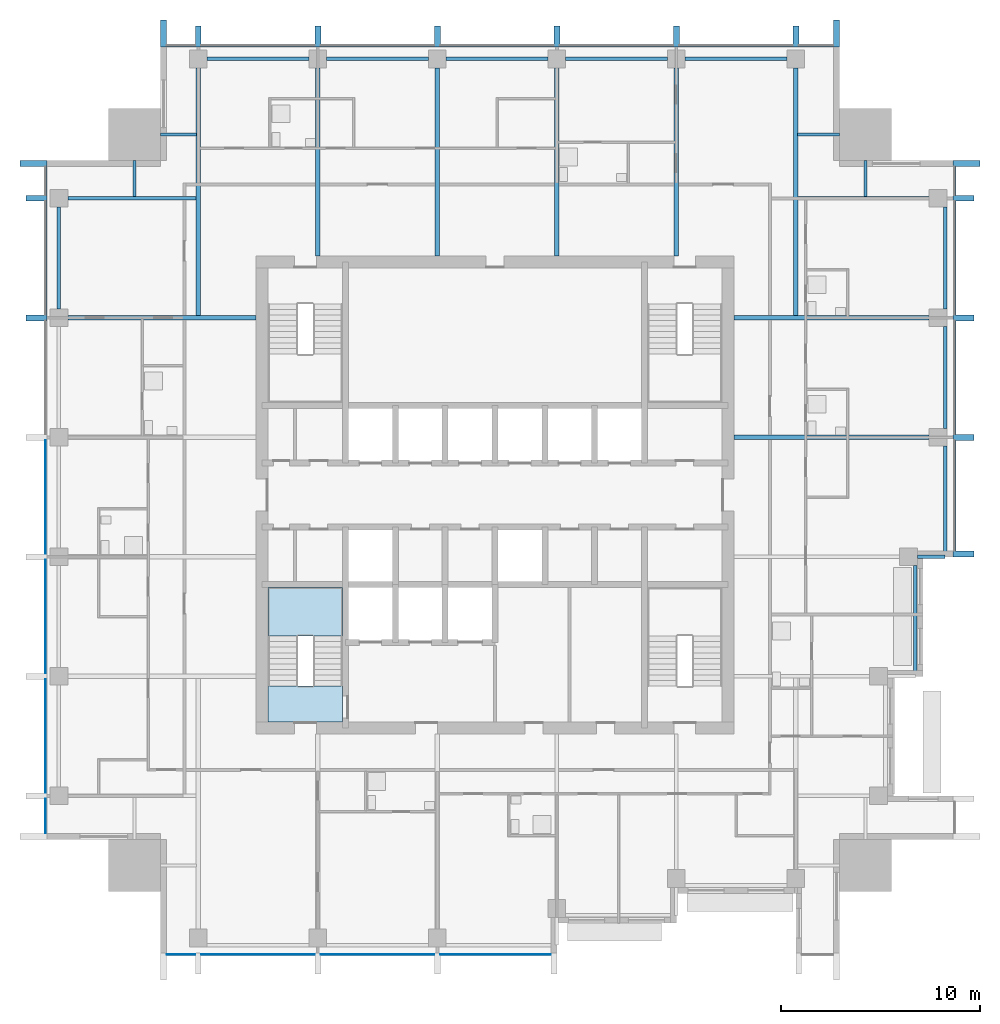
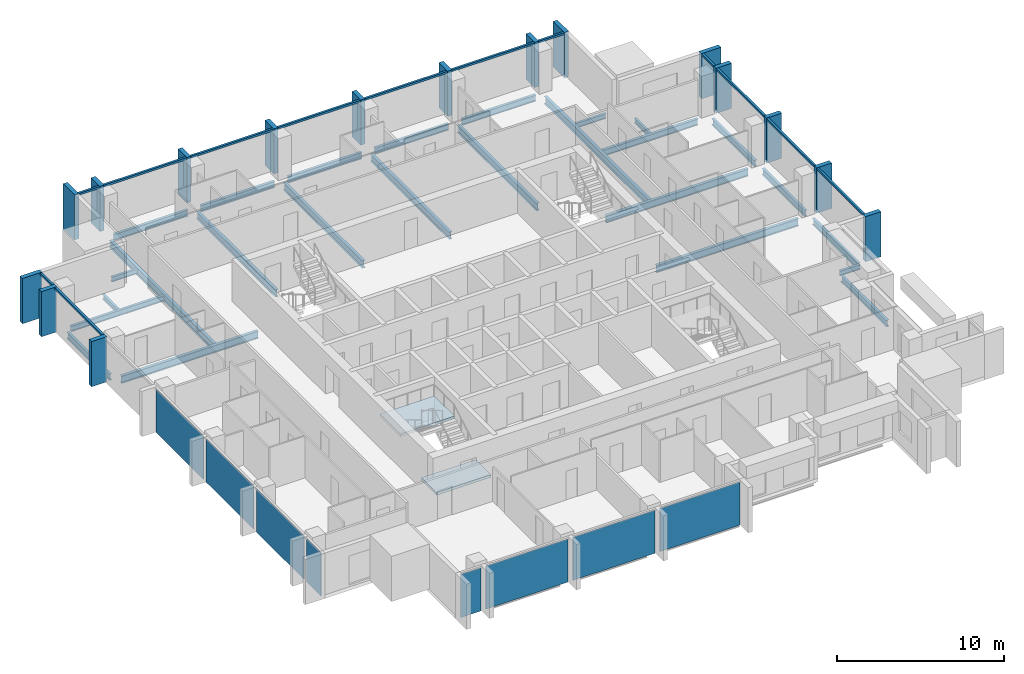
# One storey, part 2 of 10: 29 members, 26 beams, 8 plates, 2 slabs, 5 elements without a shape of their own.
"""IFC4 building model written with IfcOpenShell, lengths in metres."""

from ifc_helpers import new_model, si_unit, direction, frame, origin, origin_2d, place, context, subcontext, project, spatial, polyline, rectangle, i_section, outline, extrude, material, layer, layer_set, material_profile, profile_set, type_object, element, aggregate, save


model = new_model("IFC4")

# Units and contexts
model_context = context("Model", 3, precision=1e-05, world=origin(), true_north=direction((0.0, 1.0)))
body_context = subcontext(model_context, "Body", "Model", "MODEL_VIEW")
ifc_project = project(units=[si_unit("LENGTHUNIT", "METRE"), si_unit("AREAUNIT", "SQUARE_METRE"), si_unit("VOLUMEUNIT", "CUBIC_METRE"), si_unit("PLANEANGLEUNIT", "RADIAN"), si_unit("MASSUNIT", "GRAM", prefix="KILO")], contexts=[model_context])

# Site, building, storey
site_placement = place(None, origin())
site = spatial("IfcSite", under=ifc_project, at=site_placement, CompositionType="ELEMENT")
building_placement = place(site_placement, origin())
building = spatial("IfcBuilding", under=site, at=building_placement, Name="Amberfall Residences", CompositionType="ELEMENT")
storey_placement = place(building_placement, frame((0.0, 0.0, 193.60009765625)))
storey = spatial("IfcBuildingStorey", under=building, at=storey_placement, Name="L51", CompositionType="ELEMENT", Elevation=193.60009765625)

# Curtain wall, members
ifc_material_1 = material(Name="Bronze anodised aluminium and glass", Category="aluminium")
curtain_wall_type = type_object("IfcCurtainWallType", Name="Curtain wall CW1 tower unit", PredefinedType="USERDEFINED", material=ifc_material_1)
curtain_wall_1_placement = place(storey_placement, origin())
curtain_wall_1 = element("IfcCurtainWall", 1, at=curtain_wall_1_placement, inside=storey, type_object=curtain_wall_type, Name="Curtain wall L51 E E7", ObjectType="UNITISED CURTAIN WALL", PredefinedType="USERDEFINED")
ifc_material_2 = material(Name="Bronze anodised aluminium", Category="aluminium")
ifc_material_profile_1 = material_profile(ifc_material_2, rectangle(XDim=0.14990234375, YDim=0.14990234375, at=origin_2d()), Name="CW1 transom 150 x 150 bronze")
ifc_profile_set_1 = profile_set([ifc_material_profile_1], Name="Bronze anodised aluminium")
member_type_1 = type_object("IfcMemberType", Name="CW1 transom 150 x 150 bronze", PredefinedType="USERDEFINED", material=ifc_profile_set_1)
member_1_placement = place(storey_placement, frame((97.574951171875, 42.699951171875, 2.974853515625), z_axis=(0.0, 1.0, 0.0), x_axis=(-1.0, 0.0, 0.0)))
member_1 = element("IfcMember", 2, at=member_1_placement, type_object=member_type_1, Name="CW1 transom 1.1", ObjectType="TRANSOM", PredefinedType="USERDEFINED", context=body_context, shape_type="SweptSolid", body=[
    extrude(rectangle(XDim=0.14990234375, YDim=0.14990234375, at=origin_2d()), origin(), (0.0, 0.0, 1.0), 5.550048828125),
])
member_2_placement = place(storey_placement, frame((97.574951171875, 48.550048828125, 2.974853515625), z_axis=(0.0, 1.0, 0.0), x_axis=(-1.0, 0.0, 0.0)))
member_2 = element("IfcMember", 3, at=member_2_placement, type_object=member_type_1, Name="CW1 transom 2.1", ObjectType="TRANSOM", PredefinedType="USERDEFINED", context=body_context, shape_type="SweptSolid", body=[
    extrude(rectangle(XDim=0.14990234375, YDim=0.14990234375, at=origin_2d()), origin(), (0.0, 0.0, 1.0), 5.699951171875),
])
member_3_placement = place(storey_placement, frame((97.574951171875, 54.550048828125, 2.974853515625), z_axis=(0.0, 1.0, 0.0), x_axis=(-1.0, 0.0, 0.0)))
member_3 = element("IfcMember", 4, at=member_3_placement, type_object=member_type_1, Name="CW1 transom 3.1", ObjectType="TRANSOM", PredefinedType="USERDEFINED", context=body_context, shape_type="SweptSolid", body=[
    extrude(rectangle(XDim=0.14990234375, YDim=0.14990234375, at=origin_2d()), origin(), (0.0, 0.0, 1.0), 5.699951171875),
])
member_4_placement = place(storey_placement, frame((97.574951171875, 60.550048828125, 2.974853515625), z_axis=(0.0, 1.0, 0.0), x_axis=(-1.0, 0.0, 0.0)))
member_4 = element("IfcMember", 5, at=member_4_placement, type_object=member_type_1, Name="CW1 transom 4.1", ObjectType="TRANSOM", PredefinedType="USERDEFINED", context=body_context, shape_type="SweptSolid", body=[
    extrude(rectangle(XDim=0.14990234375, YDim=0.14990234375, at=origin_2d()), origin(), (0.0, 0.0, 1.0), 1.449951171875),
])

curtain_wall_2_placement = place(storey_placement, origin())
curtain_wall_2 = element("IfcCurtainWall", 6, at=curtain_wall_2_placement, inside=storey, type_object=curtain_wall_type, Name="Curtain wall L51 N N1", ObjectType="UNITISED CURTAIN WALL", PredefinedType="USERDEFINED")
member_5_placement = place(storey_placement, frame((91.5, 68.074951171875, 2.974853515625), z_axis=(-1.0, 0.0, 0.0), x_axis=(0.0, -1.0, 0.0)))
member_5 = element("IfcMember", 7, at=member_5_placement, type_object=member_type_1, Name="CW1 transom 1.1", ObjectType="TRANSOM", PredefinedType="USERDEFINED", context=body_context, shape_type="SweptSolid", body=[
    extrude(rectangle(XDim=0.14990234375, YDim=0.14990234375, at=origin_2d()), origin(), (0.0, 0.0, 1.0), 1.75),
])
member_6_placement = place(storey_placement, frame((89.449951171875, 68.074951171875, 2.974853515625), z_axis=(-1.0, 0.0, 0.0), x_axis=(0.0, -1.0, 0.0)))
member_6 = element("IfcMember", 8, at=member_6_placement, type_object=member_type_1, Name="CW1 transom 2.1", ObjectType="TRANSOM", PredefinedType="USERDEFINED", context=body_context, shape_type="SweptSolid", body=[
    extrude(rectangle(XDim=0.14990234375, YDim=0.14990234375, at=origin_2d()), origin(), (0.0, 0.0, 1.0), 5.699951171875),
])
member_7_placement = place(storey_placement, frame((83.449951171875, 68.074951171875, 2.974853515625), z_axis=(-1.0, 0.0, 0.0), x_axis=(0.0, -1.0, 0.0)))
member_7 = element("IfcMember", 9, at=member_7_placement, type_object=member_type_1, Name="CW1 transom 3.1", ObjectType="TRANSOM", PredefinedType="USERDEFINED", context=body_context, shape_type="SweptSolid", body=[
    extrude(rectangle(XDim=0.14990234375, YDim=0.14990234375, at=origin_2d()), origin(), (0.0, 0.0, 1.0), 5.699951171875),
])
member_8_placement = place(storey_placement, frame((77.449951171875, 68.074951171875, 2.974853515625), z_axis=(-1.0, 0.0, 0.0), x_axis=(0.0, -1.0, 0.0)))
member_8 = element("IfcMember", 10, at=member_8_placement, type_object=member_type_1, Name="CW1 transom 4.1", ObjectType="TRANSOM", PredefinedType="USERDEFINED", context=body_context, shape_type="SweptSolid", body=[
    extrude(rectangle(XDim=0.14990234375, YDim=0.14990234375, at=origin_2d()), origin(), (0.0, 0.0, 1.0), 5.699951171875),
])
member_9_placement = place(storey_placement, frame((71.449951171875, 68.074951171875, 2.974853515625), z_axis=(-1.0, 0.0, 0.0), x_axis=(0.0, -1.0, 0.0)))
member_9 = element("IfcMember", 11, at=member_9_placement, type_object=member_type_1, Name="CW1 transom 5.1", ObjectType="TRANSOM", PredefinedType="USERDEFINED", context=body_context, shape_type="SweptSolid", body=[
    extrude(rectangle(XDim=0.14990234375, YDim=0.14990234375, at=origin_2d()), origin(), (0.0, 0.0, 1.0), 5.699951171875),
])
member_10_placement = place(storey_placement, frame((65.449951171875, 68.074951171875, 2.974853515625), z_axis=(-1.0, 0.0, 0.0), x_axis=(0.0, -1.0, 0.0)))
member_10 = element("IfcMember", 12, at=member_10_placement, type_object=member_type_1, Name="CW1 transom 6.1", ObjectType="TRANSOM", PredefinedType="USERDEFINED", context=body_context, shape_type="SweptSolid", body=[
    extrude(rectangle(XDim=0.14990234375, YDim=0.14990234375, at=origin_2d()), origin(), (0.0, 0.0, 1.0), 5.699951171875),
])
member_11_placement = place(storey_placement, frame((59.449951171875, 68.074951171875, 2.974853515625), z_axis=(-1.0, 0.0, 0.0), x_axis=(0.0, -1.0, 0.0)))
member_11 = element("IfcMember", 13, at=member_11_placement, type_object=member_type_1, Name="CW1 transom 7.1", ObjectType="TRANSOM", PredefinedType="USERDEFINED", context=body_context, shape_type="SweptSolid", body=[
    extrude(rectangle(XDim=0.14990234375, YDim=0.14990234375, at=origin_2d()), origin(), (0.0, 0.0, 1.0), 1.449951171875),
])

curtain_wall_3_placement = place(storey_placement, origin())
curtain_wall_3 = element("IfcCurtainWall", 14, at=curtain_wall_3_placement, inside=storey, type_object=curtain_wall_type, Name="Curtain wall L51 W W1", ObjectType="UNITISED CURTAIN WALL", PredefinedType="USERDEFINED")
member_12_placement = place(storey_placement, frame((51.925048828125, 62.0, 2.974853515625), z_axis=(0.0, -1.0, 0.0), x_axis=(1.0, 0.0, 0.0)))
member_12 = element("IfcMember", 15, at=member_12_placement, type_object=member_type_1, Name="CW1 transom 1.1", ObjectType="TRANSOM", PredefinedType="USERDEFINED", context=body_context, shape_type="SweptSolid", body=[
    extrude(rectangle(XDim=0.14990234375, YDim=0.14990234375, at=origin_2d()), origin(), (0.0, 0.0, 1.0), 1.449951171875),
])
member_13_placement = place(storey_placement, frame((51.925048828125, 60.25, 2.974853515625), z_axis=(0.0, -1.0, 0.0), x_axis=(1.0, 0.0, 0.0)))
member_13 = element("IfcMember", 16, at=member_13_placement, type_object=member_type_1, Name="CW1 transom 2.1", ObjectType="TRANSOM", PredefinedType="USERDEFINED", context=body_context, shape_type="SweptSolid", body=[
    extrude(rectangle(XDim=0.14990234375, YDim=0.14990234375, at=origin_2d()), origin(), (0.0, 0.0, 1.0), 5.699951171875),
])

# Beam
ifc_material_3 = material(Name="Steel S355", Category="steel")
ifc_material_profile_2 = material_profile(ifc_material_3, i_section(OverallWidth=0.171142578125, OverallDepth=0.351318359375, WebThickness=0.007080078125, FlangeThickness=0.009765625, FilletRadius=0.01025390625, at=origin_2d()), Name="UB 356x171x45")
ifc_profile_set_2 = profile_set([ifc_material_profile_2], Name="Steel S355")
beam_type_1 = type_object("IfcBeamType", Name="Cantilever girder UB 356x171x45", PredefinedType="BEAM", material=ifc_profile_set_2)
beam_1_placement = place(storey_placement, frame((95.699951171875, 42.39990234375, -0.42578125), z_axis=(1.0, 0.0, 0.0), x_axis=(0.0, 1.0, 0.0)))
element("IfcBeam", 17, at=beam_1_placement, inside=storey, type_object=beam_type_1, Name="Cantilever girder B8 L51 20", PredefinedType="BEAM", context=body_context, shape_type="SweptSolid", body=[
    extrude(i_section(OverallWidth=0.171142578125, OverallDepth=0.351318359375, WebThickness=0.007080078125, FlangeThickness=0.009765625, FilletRadius=0.01025390625, at=origin_2d()), origin(), (0.0, 0.0, 1.0), 1.400146484375),
])

# Member
ifc_material_profile_3 = material_profile(ifc_material_2, rectangle(XDim=1.35009765625, YDim=0.300048828125, at=origin_2d()), Name="Corner fin 300 x 1350 bronze")
ifc_profile_set_3 = profile_set([ifc_material_profile_3], Name="Bronze anodised aluminium")
member_type_2 = type_object("IfcMemberType", Name="Corner fin 300 x 1350 bronze", PredefinedType="MULLION", material=ifc_profile_set_3)
member_14_placement = place(storey_placement, frame((98.175048828125, 62.14990234375, -0.25), z_axis=(0.0, 0.0, 1.0), x_axis=(-1.0, 0.0, 0.0)))
member_14 = element("IfcMember", 18, at=member_14_placement, type_object=member_type_2, Name="CW FIN 5", PredefinedType="MULLION", context=body_context, shape_type="SweptSolid", body=[
    extrude(rectangle(XDim=1.35009765625, YDim=0.300048828125, at=origin_2d()), origin(), (0.0, 0.0, 1.0), 3.2998046875),
])

member_15_placement = place(storey_placement, frame((91.64990234375, 68.675048828125, -0.25), z_axis=(0.0, 0.0, 1.0), x_axis=(0.0, -1.0, 0.0)))
member_15 = element("IfcMember", 19, at=member_15_placement, type_object=member_type_2, Name="CW FIN 1", PredefinedType="MULLION", context=body_context, shape_type="SweptSolid", body=[
    extrude(rectangle(XDim=1.35009765625, YDim=0.300048828125, at=origin_2d()), origin(), (0.0, 0.0, 1.0), 3.2998046875),
])

member_16_placement = place(storey_placement, frame((57.85009765625, 68.675048828125, -0.25), z_axis=(0.0, 0.0, 1.0), x_axis=(0.0, -1.0, 0.0)))
member_16 = element("IfcMember", 20, at=member_16_placement, type_object=member_type_2, Name="CW FIN 8", PredefinedType="MULLION", context=body_context, shape_type="SweptSolid", body=[
    extrude(rectangle(XDim=1.35009765625, YDim=0.300048828125, at=origin_2d()), origin(), (0.0, 0.0, 1.0), 3.2998046875),
])

member_17_placement = place(storey_placement, frame((51.324951171875, 62.14990234375, -0.25), z_axis=(0.0, 0.0, 1.0), x_axis=(1.0, 0.0, 0.0)))
member_17 = element("IfcMember", 21, at=member_17_placement, type_object=member_type_2, Name="CW FIN 1", PredefinedType="MULLION", context=body_context, shape_type="SweptSolid", body=[
    extrude(rectangle(XDim=1.35009765625, YDim=0.300048828125, at=origin_2d()), origin(), (0.0, 0.0, 1.0), 3.2998046875),
])

# Beams
ifc_material_profile_4 = material_profile(ifc_material_3, i_section(OverallWidth=0.18994140625, OverallDepth=0.453369140625, WebThickness=0.008544921875, FlangeThickness=0.0126953125, FilletRadius=0.01025390625, at=origin_2d()), Name="UB 457x191x67")
ifc_profile_set_4 = profile_set([ifc_material_profile_4], Name="Steel S355")
beam_type_2 = type_object("IfcBeamType", Name="Edge beam UB 457x191x67", PredefinedType="SPANDREL", material=ifc_profile_set_4)
for number, where, z_axis, x_axis, name in (
    (22, (95.60009765625, 36.47998046875, -0.476806640625), (0.0, 1.0, 0.0), (-1.0, 0.0, 0.0), "Edge beam B1 L51 15"),
    (23, (97.10009765625, 42.47998046875, -0.476806640625), (0.0, 1.0, 0.0), (-1.0, 0.0, 0.0), "Edge beam B1 L51 16"),
):
    element("IfcBeam", number, at=place(storey_placement, frame(where, z_axis=z_axis, x_axis=x_axis)), inside=storey, type_object=beam_type_2, Name=name, PredefinedType="SPANDREL", context=body_context, shape_type="SweptSolid", body=[
        extrude(i_section(OverallWidth=0.18994140625, OverallDepth=0.453369140625, WebThickness=0.008544921875, FlangeThickness=0.0126953125, FilletRadius=0.01025390625, at=origin_2d()), origin(), (0.0, 0.0, 1.0), 5.469970703125),
    ])
for number, where, z_axis, x_axis, name in (
    (24, (97.10009765625, 48.85009765625, -0.476806640625), (0.0, 1.0, 0.0), (-1.0, 0.0, 0.0), "Edge beam B1 L51 17"),
    (25, (97.10009765625, 54.85009765625, -0.476806640625), (0.0, 1.0, 0.0), (-1.0, 0.0, 0.0), "Edge beam B1 L51 18"),
    (26, (60.050048828125, 67.39990234375, -0.476806640625), (1.0, 0.0, 0.0), (0.0, 1.0, 0.0), "Edge beam B1 L51 27"),
    (27, (66.050048828125, 67.39990234375, -0.476806640625), (1.0, 0.0, 0.0), (0.0, 1.0, 0.0), "Edge beam B1 L51 28"),
    (28, (72.050048828125, 67.39990234375, -0.476806640625), (1.0, 0.0, 0.0), (0.0, 1.0, 0.0), "Edge beam B1 L51 29"),
    (29, (78.050048828125, 67.39990234375, -0.476806640625), (1.0, 0.0, 0.0), (0.0, 1.0, 0.0), "Edge beam B1 L51 30"),
    (30, (84.050048828125, 67.39990234375, -0.476806640625), (1.0, 0.0, 0.0), (0.0, 1.0, 0.0), "Edge beam B1 L51 31"),
    (31, (52.60009765625, 54.85009765625, -0.476806640625), (0.0, 1.0, 0.0), (-1.0, 0.0, 0.0), "Edge beam B1 L51 42"),
):
    element("IfcBeam", number, at=place(storey_placement, frame(where, z_axis=z_axis, x_axis=x_axis)), inside=storey, type_object=beam_type_2, Name=name, PredefinedType="SPANDREL", context=body_context, shape_type="SweptSolid", body=[
        extrude(i_section(OverallWidth=0.18994140625, OverallDepth=0.453369140625, WebThickness=0.008544921875, FlangeThickness=0.0126953125, FilletRadius=0.01025390625, at=origin_2d()), origin(), (0.0, 0.0, 1.0), 5.099853515625),
    ])

# Member
ifc_material_profile_5 = material_profile(ifc_material_2, rectangle(XDim=1.050048828125, YDim=0.300048828125, at=origin_2d()), Name="Fin 300 x 1050 bronze")
ifc_profile_set_5 = profile_set([ifc_material_profile_5], Name="Bronze anodised aluminium")
member_type_3 = type_object("IfcMemberType", Name="Fin 300 x 1050 bronze", PredefinedType="MULLION", material=ifc_profile_set_5)
member_18_placement = place(storey_placement, frame((98.02490234375, 42.550048828125, -0.25), z_axis=(0.0, 0.0, 1.0), x_axis=(-1.0, 0.0, 0.0)))
member_18 = element("IfcMember", 32, at=member_18_placement, type_object=member_type_3, Name="CW FIN 1", PredefinedType="MULLION", context=body_context, shape_type="SweptSolid", body=[
    extrude(rectangle(XDim=1.050048828125, YDim=0.300048828125, at=origin_2d()), origin(), (0.0, 0.0, 1.0), 3.2998046875),
])

member_19_placement = place(storey_placement, frame((98.02490234375, 48.39990234375, -0.25), z_axis=(0.0, 0.0, 1.0), x_axis=(-1.0, 0.0, 0.0)))
member_19 = element("IfcMember", 33, at=member_19_placement, type_object=member_type_3, Name="CW FIN 2", PredefinedType="MULLION", context=body_context, shape_type="SweptSolid", body=[
    extrude(rectangle(XDim=1.050048828125, YDim=0.300048828125, at=origin_2d()), origin(), (0.0, 0.0, 1.0), 3.2998046875),
])

member_20_placement = place(storey_placement, frame((98.02490234375, 54.39990234375, -0.25), z_axis=(0.0, 0.0, 1.0), x_axis=(-1.0, 0.0, 0.0)))
member_20 = element("IfcMember", 34, at=member_20_placement, type_object=member_type_3, Name="CW FIN 3", PredefinedType="MULLION", context=body_context, shape_type="SweptSolid", body=[
    extrude(rectangle(XDim=1.050048828125, YDim=0.300048828125, at=origin_2d()), origin(), (0.0, 0.0, 1.0), 3.2998046875),
])

member_21_placement = place(storey_placement, frame((98.02490234375, 60.39990234375, -0.25), z_axis=(0.0, 0.0, 1.0), x_axis=(-1.0, 0.0, 0.0)))
member_21 = element("IfcMember", 35, at=member_21_placement, type_object=member_type_3, Name="CW FIN 4", PredefinedType="MULLION", context=body_context, shape_type="SweptSolid", body=[
    extrude(rectangle(XDim=1.050048828125, YDim=0.300048828125, at=origin_2d()), origin(), (0.0, 0.0, 1.0), 3.2998046875),
])

aggregate(curtain_wall_1, [member_18, member_19, member_20, member_21, member_14, member_1, member_2, member_3, member_4])

member_22_placement = place(storey_placement, frame((89.60009765625, 68.52490234375, -0.25), z_axis=(0.0, 0.0, 1.0), x_axis=(0.0, -1.0, 0.0)))
member_22 = element("IfcMember", 36, at=member_22_placement, type_object=member_type_3, Name="CW FIN 2", PredefinedType="MULLION", context=body_context, shape_type="SweptSolid", body=[
    extrude(rectangle(XDim=1.050048828125, YDim=0.300048828125, at=origin_2d()), origin(), (0.0, 0.0, 1.0), 3.2998046875),
])

member_23_placement = place(storey_placement, frame((83.60009765625, 68.52490234375, -0.25), z_axis=(0.0, 0.0, 1.0), x_axis=(0.0, -1.0, 0.0)))
member_23 = element("IfcMember", 37, at=member_23_placement, type_object=member_type_3, Name="CW FIN 3", PredefinedType="MULLION", context=body_context, shape_type="SweptSolid", body=[
    extrude(rectangle(XDim=1.050048828125, YDim=0.300048828125, at=origin_2d()), origin(), (0.0, 0.0, 1.0), 3.2998046875),
])

member_24_placement = place(storey_placement, frame((77.60009765625, 68.52490234375, -0.25), z_axis=(0.0, 0.0, 1.0), x_axis=(0.0, -1.0, 0.0)))
member_24 = element("IfcMember", 38, at=member_24_placement, type_object=member_type_3, Name="CW FIN 4", PredefinedType="MULLION", context=body_context, shape_type="SweptSolid", body=[
    extrude(rectangle(XDim=1.050048828125, YDim=0.300048828125, at=origin_2d()), origin(), (0.0, 0.0, 1.0), 3.2998046875),
])

member_25_placement = place(storey_placement, frame((71.60009765625, 68.52490234375, -0.25), z_axis=(0.0, 0.0, 1.0), x_axis=(0.0, -1.0, 0.0)))
member_25 = element("IfcMember", 39, at=member_25_placement, type_object=member_type_3, Name="CW FIN 5", PredefinedType="MULLION", context=body_context, shape_type="SweptSolid", body=[
    extrude(rectangle(XDim=1.050048828125, YDim=0.300048828125, at=origin_2d()), origin(), (0.0, 0.0, 1.0), 3.2998046875),
])

member_26_placement = place(storey_placement, frame((65.60009765625, 68.52490234375, -0.25), z_axis=(0.0, 0.0, 1.0), x_axis=(0.0, -1.0, 0.0)))
member_26 = element("IfcMember", 40, at=member_26_placement, type_object=member_type_3, Name="CW FIN 6", PredefinedType="MULLION", context=body_context, shape_type="SweptSolid", body=[
    extrude(rectangle(XDim=1.050048828125, YDim=0.300048828125, at=origin_2d()), origin(), (0.0, 0.0, 1.0), 3.2998046875),
])

member_27_placement = place(storey_placement, frame((59.60009765625, 68.52490234375, -0.25), z_axis=(0.0, 0.0, 1.0), x_axis=(0.0, -1.0, 0.0)))
member_27 = element("IfcMember", 41, at=member_27_placement, type_object=member_type_3, Name="CW FIN 7", PredefinedType="MULLION", context=body_context, shape_type="SweptSolid", body=[
    extrude(rectangle(XDim=1.050048828125, YDim=0.300048828125, at=origin_2d()), origin(), (0.0, 0.0, 1.0), 3.2998046875),
])

aggregate(curtain_wall_2, [member_15, member_22, member_23, member_24, member_25, member_26, member_27, member_16, member_5, member_6, member_7, member_8, member_9, member_10, member_11])

member_28_placement = place(storey_placement, frame((51.47509765625, 60.39990234375, -0.25), z_axis=(0.0, 0.0, 1.0), x_axis=(1.0, 0.0, 0.0)))
member_28 = element("IfcMember", 42, at=member_28_placement, type_object=member_type_3, Name="CW FIN 2", PredefinedType="MULLION", context=body_context, shape_type="SweptSolid", body=[
    extrude(rectangle(XDim=1.050048828125, YDim=0.300048828125, at=origin_2d()), origin(), (0.0, 0.0, 1.0), 3.2998046875),
])

member_29_placement = place(storey_placement, frame((51.47509765625, 54.39990234375, -0.25), z_axis=(0.0, 0.0, 1.0), x_axis=(1.0, 0.0, 0.0)))
member_29 = element("IfcMember", 43, at=member_29_placement, type_object=member_type_3, Name="CW FIN 3", PredefinedType="MULLION", context=body_context, shape_type="SweptSolid", body=[
    extrude(rectangle(XDim=1.050048828125, YDim=0.300048828125, at=origin_2d()), origin(), (0.0, 0.0, 1.0), 3.2998046875),
])

# Beams
ifc_material_profile_6 = material_profile(ifc_material_3, i_section(OverallWidth=0.177734375, OverallDepth=0.402587890625, WebThickness=0.0078125, FlangeThickness=0.010986328125, FilletRadius=0.01025390625, at=origin_2d()), Name="UB 406x178x54")
ifc_profile_set_6 = profile_set([ifc_material_profile_6], Name="Steel S355")
beam_type_3 = type_object("IfcBeamType", Name="Floor girder UB 406x178x54", PredefinedType="BEAM", material=ifc_profile_set_6)
beam_2_placement = place(storey_placement, frame((53.050048828125, 60.39990234375, -0.451416015625), z_axis=(1.0, 0.0, 0.0), x_axis=(0.0, 1.0, 0.0)))
element("IfcBeam", 44, at=beam_2_placement, inside=storey, type_object=beam_type_3, Name="Floor girder B4 L51 48", PredefinedType="BEAM", context=body_context, shape_type="SweptSolid", body=[
    extrude(i_section(OverallWidth=0.177734375, OverallDepth=0.402587890625, WebThickness=0.0078125, FlangeThickness=0.010986328125, FilletRadius=0.01025390625, at=origin_2d()), origin(), (0.0, 0.0, 1.0), 6.429931640625),
])
ifc_material_profile_7 = material_profile(ifc_material_3, i_section(OverallWidth=0.19140625, OverallDepth=0.4599609375, WebThickness=0.010009765625, FlangeThickness=0.01611328125, FilletRadius=0.01025390625, at=origin_2d()), Name="UB 457x191x82")
ifc_profile_set_7 = profile_set([ifc_material_profile_7], Name="Steel S355")
beam_type_4 = type_object("IfcBeamType", Name="Floor girder UB 457x191x82", PredefinedType="BEAM", material=ifc_profile_set_7)
beam_3_placement = place(storey_placement, frame((96.300048828125, 60.39990234375, -0.47998046875), z_axis=(-1.0, 0.0, 0.0), x_axis=(0.0, -1.0, 0.0)))
element("IfcBeam", 45, at=beam_3_placement, inside=storey, type_object=beam_type_4, Name="Floor girder B10 L51 26", PredefinedType="BEAM", context=body_context, shape_type="SweptSolid", body=[
    extrude(i_section(OverallWidth=0.19140625, OverallDepth=0.4599609375, WebThickness=0.010009765625, FlangeThickness=0.01611328125, FilletRadius=0.01025390625, at=origin_2d()), origin(), (0.0, 0.0, 1.0), 6.580078125),
])
ifc_material_profile_8 = material_profile(ifc_material_3, i_section(OverallWidth=0.210693359375, OverallDepth=0.53955078125, WebThickness=0.01171875, FlangeThickness=0.018798828125, FilletRadius=0.0126953125, at=origin_2d()), Name="UB 533x210x109")
ifc_profile_set_8 = profile_set([ifc_material_profile_8], Name="Steel S355")
beam_type_5 = type_object("IfcBeamType", Name="Floor girder UB 533x210x109", PredefinedType="BEAM", material=ifc_profile_set_8)
for number, where, z_axis, x_axis, name in (
    (46, (59.60009765625, 66.949951171875, -0.519775390625), (0.0, -1.0, 0.0), (1.0, 0.0, 0.0), "Floor girder B2 L51 32"),
    (47, (89.60009765625, 66.949951171875, -0.519775390625), (0.0, -1.0, 0.0), (1.0, 0.0, 0.0), "Floor girder B2 L51 37"),
):
    element("IfcBeam", number, at=place(storey_placement, frame(where, z_axis=z_axis, x_axis=x_axis)), inside=storey, type_object=beam_type_5, Name=name, PredefinedType="BEAM", context=body_context, shape_type="SweptSolid", body=[
        extrude(i_section(OverallWidth=0.210693359375, OverallDepth=0.53955078125, WebThickness=0.01171875, FlangeThickness=0.018798828125, FilletRadius=0.0126953125, at=origin_2d()), origin(), (0.0, 0.0, 1.0), 12.450439453125),
    ])
ifc_material_profile_9 = material_profile(ifc_material_3, i_section(OverallWidth=0.209228515625, OverallDepth=0.533203125, WebThickness=0.010009765625, FlangeThickness=0.015625, FilletRadius=0.0126953125, at=origin_2d()), Name="UB 533x210x92")
ifc_profile_set_9 = profile_set([ifc_material_profile_9], Name="Steel S355")
beam_type_6 = type_object("IfcBeamType", Name="Floor girder UB 533x210x92", PredefinedType="BEAM", material=ifc_profile_set_9)
for number, where, z_axis, x_axis, name in (
    (48, (96.300048828125, 48.39990234375, -0.5166015625), (-1.0, 0.0, 0.0), (0.0, -1.0, 0.0), "Floor girder B3 L51 24"),
    (49, (96.300048828125, 54.39990234375, -0.5166015625), (-1.0, 0.0, 0.0), (0.0, -1.0, 0.0), "Floor girder B3 L51 25"),
):
    element("IfcBeam", number, at=place(storey_placement, frame(where, z_axis=z_axis, x_axis=x_axis)), inside=storey, type_object=beam_type_6, Name=name, PredefinedType="BEAM", context=body_context, shape_type="SweptSolid", body=[
        extrude(i_section(OverallWidth=0.209228515625, OverallDepth=0.533203125, WebThickness=0.010009765625, FlangeThickness=0.015625, FilletRadius=0.0126953125, at=origin_2d()), origin(), (0.0, 0.0, 1.0), 9.800048828125),
    ])
for number, where, z_axis, x_axis, name in (
    (50, (65.60009765625, 66.949951171875, -0.5166015625), (0.0, -1.0, 0.0), (1.0, 0.0, 0.0), "Floor girder B3 L51 33"),
    (51, (71.60009765625, 66.949951171875, -0.5166015625), (0.0, -1.0, 0.0), (1.0, 0.0, 0.0), "Floor girder B3 L51 34"),
    (52, (77.60009765625, 66.949951171875, -0.5166015625), (0.0, -1.0, 0.0), (1.0, 0.0, 0.0), "Floor girder B3 L51 35"),
    (53, (83.60009765625, 66.949951171875, -0.5166015625), (0.0, -1.0, 0.0), (1.0, 0.0, 0.0), "Floor girder B3 L51 36"),
    (54, (53.050048828125, 54.39990234375, -0.5166015625), (1.0, 0.0, 0.0), (0.0, 1.0, 0.0), "Floor girder B3 L51 47"),
):
    element("IfcBeam", number, at=place(storey_placement, frame(where, z_axis=z_axis, x_axis=x_axis)), inside=storey, type_object=beam_type_6, Name=name, PredefinedType="BEAM", context=body_context, shape_type="SweptSolid", body=[
        extrude(i_section(OverallWidth=0.209228515625, OverallDepth=0.533203125, WebThickness=0.010009765625, FlangeThickness=0.015625, FilletRadius=0.0126953125, at=origin_2d()), origin(), (0.0, 0.0, 1.0), 9.449951171875),
    ])
ifc_material_profile_10 = material_profile(ifc_material_3, i_section(OverallWidth=0.171142578125, OverallDepth=0.351318359375, WebThickness=0.007080078125, FlangeThickness=0.009765625, FilletRadius=0.01025390625, at=origin_2d()), Name="UB 356x171x45")
ifc_profile_set_10 = profile_set([ifc_material_profile_10], Name="Steel S355")
beam_type_7 = type_object("IfcBeamType", Name="Link beam UB 356x171x45", PredefinedType="BEAM", material=ifc_profile_set_10)
beam_4_placement = place(storey_placement, frame((91.800048828125, 63.60009765625, -0.42578125), z_axis=(-1.0, 0.0, 0.0), x_axis=(0.0, -1.0, 0.0)))
element("IfcBeam", 55, at=beam_4_placement, inside=storey, type_object=beam_type_7, Name="Link beam B7 L51 53", PredefinedType="BEAM", context=body_context, shape_type="SweptSolid", body=[
    extrude(i_section(OverallWidth=0.171142578125, OverallDepth=0.351318359375, WebThickness=0.007080078125, FlangeThickness=0.009765625, FilletRadius=0.01025390625, at=origin_2d()), origin(), (0.0, 0.0, 1.0), 2.104736328125),
])
beam_5_placement = place(storey_placement, frame((93.10009765625, 62.300048828125, -0.42578125), z_axis=(0.0, -1.0, 0.0), x_axis=(1.0, 0.0, 0.0)))
element("IfcBeam", 56, at=beam_5_placement, inside=storey, type_object=beam_type_7, Name="Link beam B7 L51 54", PredefinedType="BEAM", context=body_context, shape_type="SweptSolid", body=[
    extrude(i_section(OverallWidth=0.171142578125, OverallDepth=0.351318359375, WebThickness=0.007080078125, FlangeThickness=0.009765625, FilletRadius=0.01025390625, at=origin_2d()), origin(), (0.0, 0.0, 1.0), 1.814453125),
])
beam_6_placement = place(storey_placement, frame((57.699951171875, 63.60009765625, -0.42578125), z_axis=(1.0, 0.0, 0.0), x_axis=(0.0, 1.0, 0.0)))
element("IfcBeam", 57, at=beam_6_placement, inside=storey, type_object=beam_type_7, Name="Link beam B7 L51 55", PredefinedType="BEAM", context=body_context, shape_type="SweptSolid", body=[
    extrude(i_section(OverallWidth=0.171142578125, OverallDepth=0.351318359375, WebThickness=0.007080078125, FlangeThickness=0.009765625, FilletRadius=0.01025390625, at=origin_2d()), origin(), (0.0, 0.0, 1.0), 1.8046875),
])
beam_7_placement = place(storey_placement, frame((56.39990234375, 62.300048828125, -0.42578125), z_axis=(0.0, -1.0, 0.0), x_axis=(1.0, 0.0, 0.0)))
element("IfcBeam", 58, at=beam_7_placement, inside=storey, type_object=beam_type_7, Name="Link beam B7 L51 56", PredefinedType="BEAM", context=body_context, shape_type="SweptSolid", body=[
    extrude(i_section(OverallWidth=0.171142578125, OverallDepth=0.351318359375, WebThickness=0.007080078125, FlangeThickness=0.009765625, FilletRadius=0.01025390625, at=origin_2d()), origin(), (0.0, 0.0, 1.0), 1.821044921875),
])

# Curtain wall, plates
curtain_wall_4_placement = place(storey_placement, origin())
curtain_wall_4 = element("IfcCurtainWall", 59, at=curtain_wall_4_placement, inside=storey, type_object=curtain_wall_type, Name="Curtain wall L51 S S1", ObjectType="UNITISED CURTAIN WALL", PredefinedType="USERDEFINED")
ifc_material_4 = material(Name="Tinted double glazed unit", Category="glass")
ifc_layer_1 = layer(ifc_material_4, 0.035888671875)
ifc_layer_set_1 = layer_set([ifc_layer_1], Name="CW1 panel 36 glazing")
plate_type = type_object("IfcPlateType", Name="CW1 panel 36 glazing", PredefinedType="CURTAIN_PANEL", material=ifc_layer_set_1)
plate_1_placement = place(storey_placement, frame((58.72509765625, 22.425048828125, -0.25), z_axis=(0.0, 0.0, 1.0), x_axis=(1.0, 0.0, 0.0)))
plate_1 = element("IfcPlate", 60, at=plate_1_placement, type_object=plate_type, Name="CW1 panel 1.1", PredefinedType="CURTAIN_PANEL", context=body_context, shape_type="SweptSolid", body=[
    extrude(rectangle(XDim=1.426025390625, YDim=0.035888671875, at=origin_2d()), origin(), (0.0, 0.0, 1.0), 3.14990234375),
])
plate_2_placement = place(storey_placement, frame((62.60009765625, 22.425048828125, -0.25), z_axis=(0.0, 0.0, 1.0), x_axis=(1.0, 0.0, 0.0)))
plate_2 = element("IfcPlate", 61, at=plate_2_placement, type_object=plate_type, Name="CW1 panel 2.1", PredefinedType="CURTAIN_PANEL", context=body_context, shape_type="SweptSolid", body=[
    extrude(rectangle(XDim=5.676025390625, YDim=0.035888671875, at=origin_2d()), origin(), (0.0, 0.0, 1.0), 3.14990234375),
])
plate_3_placement = place(storey_placement, frame((68.60009765625, 22.425048828125, -0.25), z_axis=(0.0, 0.0, 1.0), x_axis=(1.0, 0.0, 0.0)))
plate_3 = element("IfcPlate", 62, at=plate_3_placement, type_object=plate_type, Name="CW1 panel 3.1", PredefinedType="CURTAIN_PANEL", context=body_context, shape_type="SweptSolid", body=[
    extrude(rectangle(XDim=5.676025390625, YDim=0.035888671875, at=origin_2d()), origin(), (0.0, 0.0, 1.0), 3.14990234375),
])
plate_4_placement = place(storey_placement, frame((74.52490234375, 22.425048828125, -0.25), z_axis=(0.0, 0.0, 1.0), x_axis=(1.0, 0.0, 0.0)))
plate_4 = element("IfcPlate", 63, at=plate_4_placement, type_object=plate_type, Name="CW1 panel 4.1", PredefinedType="CURTAIN_PANEL", context=body_context, shape_type="SweptSolid", body=[
    extrude(rectangle(XDim=5.52587890625, YDim=0.035888671875, at=origin_2d()), origin(), (0.0, 0.0, 1.0), 3.14990234375),
])
aggregate(curtain_wall_4, [plate_1, plate_2, plate_3, plate_4])

# Plate
plate_5_placement = place(storey_placement, frame((51.925048828125, 45.39990234375, -0.25), z_axis=(0.0, 0.0, 1.0), x_axis=(0.0, -1.0, 0.0)))
plate_5 = element("IfcPlate", 64, at=plate_5_placement, type_object=plate_type, Name="CW1 panel 4.1", PredefinedType="CURTAIN_PANEL", context=body_context, shape_type="SweptSolid", body=[
    extrude(rectangle(XDim=5.676025390625, YDim=0.035888671875, at=origin_2d()), origin(), (0.0, 0.0, 1.0), 3.14990234375),
])

plate_6_placement = place(storey_placement, frame((51.925048828125, 39.39990234375, -0.25), z_axis=(0.0, 0.0, 1.0), x_axis=(0.0, -1.0, 0.0)))
plate_6 = element("IfcPlate", 65, at=plate_6_placement, type_object=plate_type, Name="CW1 panel 5.1", PredefinedType="CURTAIN_PANEL", context=body_context, shape_type="SweptSolid", body=[
    extrude(rectangle(XDim=5.676025390625, YDim=0.035888671875, at=origin_2d()), origin(), (0.0, 0.0, 1.0), 3.14990234375),
])

plate_7_placement = place(storey_placement, frame((51.925048828125, 33.39990234375, -0.25), z_axis=(0.0, 0.0, 1.0), x_axis=(0.0, -1.0, 0.0)))
plate_7 = element("IfcPlate", 66, at=plate_7_placement, type_object=plate_type, Name="CW1 panel 6.1", PredefinedType="CURTAIN_PANEL", context=body_context, shape_type="SweptSolid", body=[
    extrude(rectangle(XDim=5.676025390625, YDim=0.035888671875, at=origin_2d()), origin(), (0.0, 0.0, 1.0), 3.14990234375),
])

plate_8_placement = place(storey_placement, frame((51.925048828125, 29.375, -0.25), z_axis=(0.0, 0.0, 1.0), x_axis=(0.0, -1.0, 0.0)))
plate_8 = element("IfcPlate", 67, at=plate_8_placement, type_object=plate_type, Name="CW1 panel 7.1", PredefinedType="CURTAIN_PANEL", context=body_context, shape_type="SweptSolid", body=[
    extrude(rectangle(XDim=1.72607421875, YDim=0.035888671875, at=origin_2d()), origin(), (0.0, 0.0, 1.0), 3.14990234375),
])

aggregate(curtain_wall_3, [member_17, member_28, member_29, member_12, member_13, plate_5, plate_6, plate_7, plate_8])

# Stair, slabs
ifc_material_5 = material(Name="Concrete C40", Category="concrete")
stair_type = type_object("IfcStairType", Name="Exit stair 20 risers 165.0 mm", PredefinedType="HALF_TURN_STAIR", material=ifc_material_5)
stair_placement = place(storey_placement, origin())
stair = element("IfcStair", 68, at=stair_placement, inside=storey, type_object=stair_type, Name="L51 Exit stair 1", PredefinedType="HALF_TURN_STAIR")
ifc_layer_2 = layer(ifc_material_5, 0.199951171875)
ifc_layer_set_2 = layer_set([ifc_layer_2], Name="Stair landing 200")
slab_type = type_object("IfcSlabType", Name="Stair landing 200", PredefinedType="LANDING", material=ifc_layer_set_2)
slab_1_placement = place(storey_placement, frame((0.0, 0.0, 1.449951171875)))
slab_1 = element("IfcSlab", 69, at=slab_1_placement, type_object=slab_type, Name="ST3 landing 1", PredefinedType="LANDING", context=body_context, shape_type="SweptSolid", body=[
    extrude(outline(polyline([(66.85009765625, 38.419921875), (66.85009765625, 40.85009765625), (63.10009765625, 40.85009765625), (63.10009765625, 38.419921875), (66.85009765625, 38.419921875)])), origin(), (0.0, 0.0, 1.0), 0.199951171875),
])
slab_2_placement = place(storey_placement, frame((0.0, 0.0, -0.2001953125)))
slab_2 = element("IfcSlab", 70, at=slab_2_placement, type_object=slab_type, Name="ST3 landing 2", PredefinedType="LANDING", context=body_context, shape_type="SweptSolid", body=[
    extrude(outline(polyline([(66.85009765625, 34.10009765625), (66.85009765625, 35.89990234375), (63.10009765625, 35.89990234375), (63.10009765625, 34.10009765625), (66.85009765625, 34.10009765625)])), origin(), (0.0, 0.0, 1.0), 0.2001953125),
])
aggregate(stair, [slab_1, slab_2])

save(model, "model.ifc")
